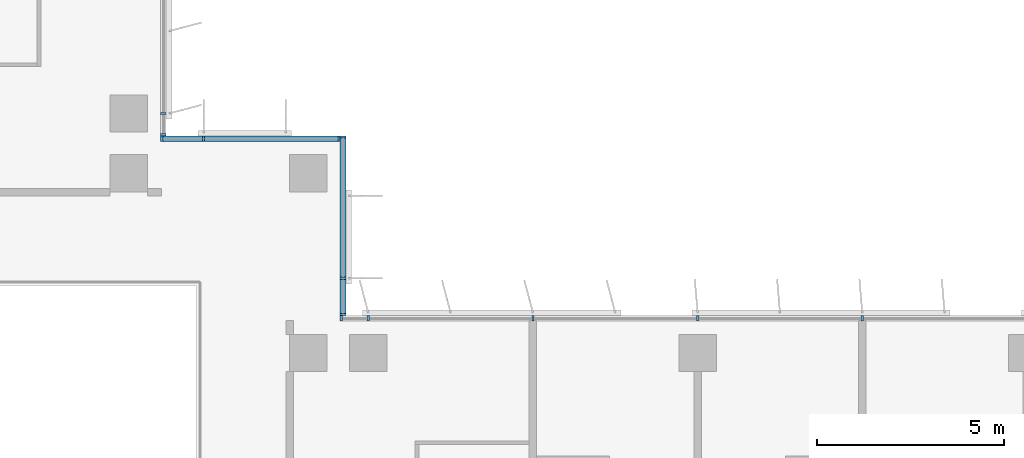
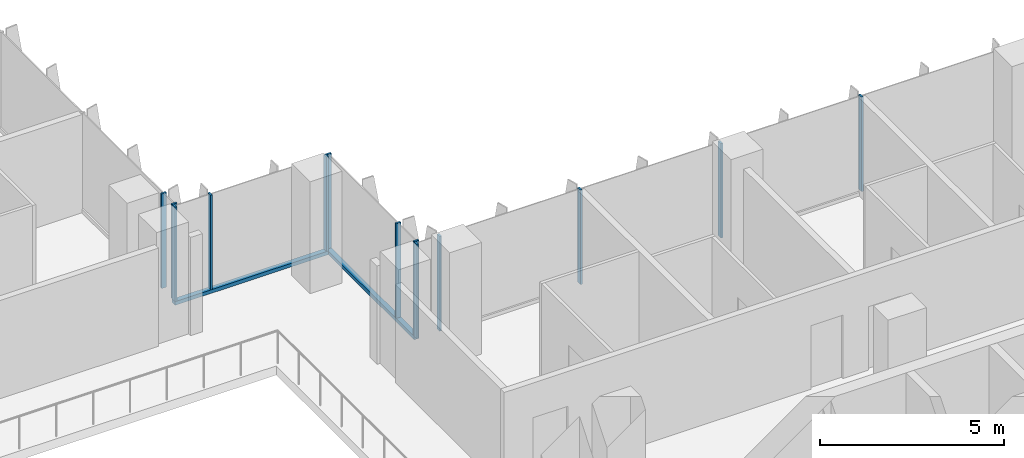
# One storey, part 2 of 21: 15 members, 4 elements without a shape of their own.
"""IFC4 building model written with IfcOpenShell, lengths in metres."""

import ifcopenshell
import ifcopenshell.guid

model = None  # the IFC model being written
_history = None  # IfcOwnerHistory: only IFC2X3 demands one
_inside = {}  # id of a spatial element -> (the spatial element, [elements in it])
_under = {}  # id of a project, library or spatial element -> (it, [spatial elements below it])
_declared = {}  # id of a project -> (the project, [libraries it declares])
_typed = {}  # id of a type object -> (the type object, [elements of that type])
_made_of = {}  # id of a material, layer set ... -> (it, [elements and type objects made of it])


def new_model(schema):
    """Start an empty IFC model of exactly this schema.

    Asked for "IFC4X3", IfcOpenShell would pick the latest addendum, in which some entities
    have other attributes; the version numbers below select the first issue.
    IFC2X3 requires an IfcOwnerHistory on every rooted entity: one is made here for all.
    """
    global model, _history
    if schema == "IFC4X3":
        model = ifcopenshell.file(schema_version=(4, 3, 0, 0))
    else:
        model = ifcopenshell.file(schema=schema)
    _inside.clear()
    _under.clear()
    _declared.clear()
    _typed.clear()
    _made_of.clear()
    _history = None
    if model.schema == "IFC2X3":
        org = make("IfcOrganization", Name="unknown")
        user = make(
            "IfcPersonAndOrganization",
            ThePerson=make("IfcPerson", FamilyName="unknown"),
            TheOrganization=org,
        )
        app = make(
            "IfcApplication",
            ApplicationDeveloper=org,
            Version="unknown",
            ApplicationFullName="unknown",
            ApplicationIdentifier="unknown",
        )
        _history = make(
            "IfcOwnerHistory",
            OwningUser=user,
            OwningApplication=app,
            ChangeAction="ADDED",
            CreationDate=0,
        )
    return model


def make(cls, **values):
    """One entity of the class cls with the attributes given. An attribute that is None is left unset."""
    return model.create_entity(
        cls, **{name: value for name, value in values.items() if value is not None}
    )


def rooted(cls, **values):
    """An entity with a GlobalId (a new one), such as an element, a storey or a relation."""
    return make(cls, GlobalId=ifcopenshell.guid.new(), OwnerHistory=_history, **values)


def si_unit(unit_type, name, prefix=None):
    """IfcSIUnit, for example si_unit("LENGTHUNIT", "METRE", prefix="MILLI")."""
    return make("IfcSIUnit", UnitType=unit_type, Prefix=prefix, Name=name)


def assignment(units):
    """IfcUnitAssignment: the units of a project."""
    return None if units is None else make("IfcUnitAssignment", Units=units)


def point(xyz):
    """IfcCartesianPoint."""
    return None if xyz is None else make("IfcCartesianPoint", Coordinates=xyz)


def direction(xyz):
    """IfcDirection."""
    return None if xyz is None else make("IfcDirection", DirectionRatios=xyz)


def frame(location, z_axis=None, x_axis=None):
    """IfcAxis2Placement3D, a coordinate frame: its origin and axes. An axis left out is left unset."""
    return make(
        "IfcAxis2Placement3D",
        Location=point(location),
        Axis=direction(z_axis),
        RefDirection=direction(x_axis),
    )


def frame_2d(location, x_axis=None):
    """IfcAxis2Placement2D, a coordinate frame in the plane: its origin and x axis."""
    return make(
        "IfcAxis2Placement2D", Location=point(location), RefDirection=direction(x_axis)
    )


def origin():
    """The frame at (0, 0, 0) with its axes left unset."""
    return frame((0.0, 0.0, 0.0))


def origin_2d():
    """The frame at (0, 0) in the plane with its x axis left unset."""
    return frame_2d((0.0, 0.0))


def place(relative_to, where):
    """IfcLocalPlacement: puts the frame where relative to a parent placement (None: the world)."""
    return make(
        "IfcLocalPlacement", PlacementRelTo=relative_to, RelativePlacement=where
    )


def context(
    kind, dimensions, precision=None, world=None, true_north=None, identifier=None
):
    """IfcGeometricRepresentationContext, for example the 3D "Model" context."""
    return make(
        "IfcGeometricRepresentationContext",
        ContextIdentifier=identifier,
        ContextType=kind,
        CoordinateSpaceDimension=dimensions,
        Precision=precision,
        WorldCoordinateSystem=world,
        TrueNorth=true_north,
    )


def subcontext(parent, identifier, kind, view, scale=None):
    """IfcGeometricRepresentationSubContext, for example "Body" below "Model"."""
    return make(
        "IfcGeometricRepresentationSubContext",
        ContextIdentifier=identifier,
        ContextType=kind,
        ParentContext=parent,
        TargetScale=scale,
        TargetView=view,
    )


def project(units=None, contexts=None):
    """IfcProject with its units and contexts."""
    return rooted(
        "IfcProject",
        Name="project",
        RepresentationContexts=contexts,
        UnitsInContext=assignment(units),
    )


def spatial(cls, under=None, at=None, **own):
    """A site, building, storey or space (cls), placed at a placement, below another one or the project."""
    s = rooted(cls, ObjectPlacement=at, **own)
    if under is not None:
        _under.setdefault(under.id(), (under, []))[1].append(s)
    return s


def profile(cls, at=None, kind="AREA", **sizes):
    """A parametric profile (cls). Its sizes go by their IFC names, for example OverallWidth=200.0."""
    return make(cls, ProfileType=kind, Position=at, **sizes)


def rectangle(**sizes):
    """IfcRectangleProfileDef."""
    return profile("IfcRectangleProfileDef", **sizes)


def extrude(swept, where, along, depth):
    """IfcExtrudedAreaSolid: the profile swept, set in the frame where, extruded along a direction by depth."""
    return make(
        "IfcExtrudedAreaSolid",
        SweptArea=swept,
        Position=where,
        ExtrudedDirection=direction(along),
        Depth=depth,
    )


def shape(context_of_items, identifier, shape_type, items):
    """IfcShapeRepresentation: the items that make up one representation, for example the "Body"."""
    return make(
        "IfcShapeRepresentation",
        ContextOfItems=context_of_items,
        RepresentationIdentifier=identifier,
        RepresentationType=shape_type,
        Items=items,
    )


def source(mapping_origin, context_of_items, identifier, shape_type, items):
    """IfcRepresentationMap: a shape defined once, which mapped items show again and again."""
    return make(
        "IfcRepresentationMap",
        MappingOrigin=mapping_origin,
        MappedRepresentation=shape(context_of_items, identifier, shape_type, items),
    )


def transform(
    local_origin,
    x_axis=None,
    y_axis=None,
    z_axis=None,
    scale=None,
    scale2=None,
    scale3=None,
    uniform=True,
):
    """IfcCartesianTransformationOperator3D, or its non-uniform kind. x_axis, y_axis, z_axis: its Axis1, 2, 3."""
    if uniform:
        return make(
            "IfcCartesianTransformationOperator3D",
            Axis1=direction(x_axis),
            Axis2=direction(y_axis),
            LocalOrigin=point(local_origin),
            Scale=scale,
            Axis3=direction(z_axis),
        )
    return make(
        "IfcCartesianTransformationOperator3DnonUniform",
        Axis1=direction(x_axis),
        Axis2=direction(y_axis),
        LocalOrigin=point(local_origin),
        Scale=scale,
        Axis3=direction(z_axis),
        Scale2=scale2,
        Scale3=scale3,
    )


def mapped(mapping_source, mapping_target):
    """IfcMappedItem: shows the shape of a source again, moved by a transform."""
    return make(
        "IfcMappedItem", MappingSource=mapping_source, MappingTarget=mapping_target
    )


def material(Name=None, Category=None):
    """IfcMaterial."""
    return make("IfcMaterial", Name=Name, Category=Category)


def material_profile(
    of_material, cross_section, Name=None, Category=None, Priority=None
):
    """IfcMaterialProfile: a cross section and its material."""
    return make(
        "IfcMaterialProfile",
        Name=Name,
        Material=of_material,
        Profile=cross_section,
        Priority=Priority,
        Category=Category,
    )


def profile_set(profiles, Name=None, composite=None):
    """IfcMaterialProfileSet."""
    return make(
        "IfcMaterialProfileSet",
        Name=Name,
        MaterialProfiles=profiles,
        CompositeProfile=composite,
    )


def made_of(thing, what):
    """Note that an element or type object is made of a material, layer set ...; save() writes the relation."""
    if what is not None:
        _made_of.setdefault(what.id(), (what, []))[1].append(thing)
    return thing


def type_object(cls, material=None, **own):
    """A type object (cls), such as IfcWallType, which elements share."""
    return made_of(rooted(cls, **own), material)


def element(
    cls,
    number,
    at=None,
    inside=None,
    cuts=None,
    type_object=None,
    material=None,
    context=None,
    identifier="Body",
    shape_type=None,
    held_by="IfcProductDefinitionShape",
    body=None,
    shapes=None,
    **own,
):
    """One element of the class cls, such as IfcWall. Its Tag is "e" and its number.

    at: its placement. inside: the storey or other place that contains it. cuts: it is an
    opening in that element (IfcRelVoidsElement). A single representation is given by context,
    identifier, shape_type and body (its items); several are given by shapes. held_by: the class
    of the entity that holds the representations. save() writes the other relations.
    """
    e = rooted(cls, Tag="e%d" % number, ObjectPlacement=at, **own)
    if body is not None:
        shapes = [shape(context, identifier, shape_type, body)]
    if shapes is not None:
        e.Representation = make(held_by, Representations=shapes)
    if inside is not None:
        _inside.setdefault(inside.id(), (inside, []))[1].append(e)
    if cuts is not None:
        rooted(
            "IfcRelVoidsElement", RelatingBuildingElement=cuts, RelatedOpeningElement=e
        )
    if type_object is not None:
        _typed.setdefault(type_object.id(), (type_object, []))[1].append(e)
    return made_of(e, material)


def aggregate(whole, parts):
    """IfcRelAggregates: a whole, such as a stair, and the parts it consists of."""
    return rooted("IfcRelAggregates", RelatingObject=whole, RelatedObjects=parts)


def save(model, path):
    """Write the relations noted so far, then the file.

    IfcRelAggregates (storeys below a building ...), IfcRelContainedInSpatialStructure (elements
    in a storey), IfcRelDefinesByType, IfcRelAssociatesMaterial and IfcRelDeclares: one each for
    every whole, place, type object, material and project.
    """
    for whole, parts in _under.values():
        aggregate(whole, parts)
    for where, things in _inside.values():
        rooted(
            "IfcRelContainedInSpatialStructure",
            RelatedElements=things,
            RelatingStructure=where,
        )
    for kind, things in _typed.values():
        rooted("IfcRelDefinesByType", RelatedObjects=things, RelatingType=kind)
    for what, things in _made_of.values():
        rooted("IfcRelAssociatesMaterial", RelatedObjects=things, RelatingMaterial=what)
    for by, libraries in _declared.values():
        rooted("IfcRelDeclares", RelatingContext=by, RelatedDefinitions=libraries)
    model.write(path)


model = new_model("IFC4")

# Units and contexts
model_context = context("Model", 3, precision=1e-05, world=origin(), true_north=direction((0.0, 1.0)))
body_context = subcontext(model_context, "Body", "Model", "MODEL_VIEW")
ifc_project = project(units=[si_unit("LENGTHUNIT", "METRE"), si_unit("AREAUNIT", "SQUARE_METRE"), si_unit("VOLUMEUNIT", "CUBIC_METRE"), si_unit("PLANEANGLEUNIT", "RADIAN"), si_unit("MASSUNIT", "GRAM", prefix="KILO")], contexts=[model_context])

# Site, building, storey
site_placement = place(None, origin())
site = spatial("IfcSite", under=ifc_project, at=site_placement, CompositionType="ELEMENT")
building_placement = place(site_placement, origin())
building = spatial("IfcBuilding", under=site, at=building_placement, Name="Kemantara Hotel Tower", CompositionType="ELEMENT")
storey_placement = place(building_placement, frame((0.0, 0.0, 198.800048828125)))
storey = spatial("IfcBuildingStorey", under=building, at=storey_placement, Name="L49", CompositionType="ELEMENT", Elevation=198.800048828125)

# Curtain wall, member
ifc_material_1 = material(Name="Low-E tinted double insulated glass 36 mm", Category="glass")
curtain_wall_type = type_object("IfcCurtainWallType", Name="TOWER CURTAIN WALL, FRONT FACES", PredefinedType="USERDEFINED", material=ifc_material_1)
curtain_wall_1_placement = place(storey_placement, origin())
curtain_wall_1 = element("IfcCurtainWall", 1, at=curtain_wall_1_placement, inside=storey, type_object=curtain_wall_type, Name="CW4 L49 T3-R15-1", ObjectType="TOWER CURTAIN WALL, FRONT FACES", PredefinedType="USERDEFINED")
ifc_material_2 = material(Name="Aluminium 6063-T6 bronze anodised", Category="aluminium")
ifc_material_profile_1 = material_profile(ifc_material_2, rectangle(XDim=0.14990234375, YDim=0.1201171875, at=origin_2d()), Name="TOWER CURTAIN WALL, FRONT FACES TRANSOM")
ifc_profile_set_1 = profile_set([ifc_material_profile_1], Name="Aluminium 6063-T6 bronze anodised")
member_type_1 = type_object("IfcMemberType", Name="TOWER CURTAIN WALL, FRONT FACES TRANSOM", PredefinedType="USERDEFINED", material=ifc_profile_set_1)
member_1_placement = place(storey_placement, frame((26.72509765625, 22.0, 0.06005859375), z_axis=(0.0, 1.0, 0.0), x_axis=(-1.0, 0.0, 0.0)))
member_1 = element("IfcMember", 2, at=member_1_placement, type_object=member_type_1, Name="CW4 sill transom T3-R15-1", ObjectType="TRANSOM", PredefinedType="USERDEFINED", context=body_context, shape_type="SweptSolid", body=[
    extrude(rectangle(XDim=0.14990234375, YDim=0.1201171875, at=origin_2d()), origin(), (0.0, 0.0, 1.0), 4.800048828125),
])

curtain_wall_2_placement = place(storey_placement, origin())
curtain_wall_2 = element("IfcCurtainWall", 3, at=curtain_wall_2_placement, inside=storey, type_object=curtain_wall_type, Name="CW4 L49 T3-R16-1", ObjectType="TOWER CURTAIN WALL, FRONT FACES", PredefinedType="USERDEFINED")
member_2_placement = place(storey_placement, frame((26.64990234375, 26.72509765625, 0.06005859375), z_axis=(-1.0, 0.0, 0.0), x_axis=(0.0, -1.0, 0.0)))
member_2 = element("IfcMember", 4, at=member_2_placement, type_object=member_type_1, Name="CW4 sill transom T3-R16-1", ObjectType="TRANSOM", PredefinedType="USERDEFINED", context=body_context, shape_type="SweptSolid", body=[
    extrude(rectangle(XDim=0.14990234375, YDim=0.1201171875, at=origin_2d()), origin(), (0.0, 0.0, 1.0), 4.7998046875),
])

# Curtain wall, members
curtain_wall_3_placement = place(storey_placement, origin())
curtain_wall_3 = element("IfcCurtainWall", 5, at=curtain_wall_3_placement, inside=storey, type_object=curtain_wall_type, Name="CW4 L49 T3-R14-1", ObjectType="TOWER CURTAIN WALL, FRONT FACES", PredefinedType="USERDEFINED")
ifc_material_profile_2 = material_profile(ifc_material_2, rectangle(XDim=0.14990234375, YDim=0.06005859375, at=origin_2d()), Name="TOWER CURTAIN WALL, FRONT FACES MULLION")
ifc_profile_set_2 = profile_set([ifc_material_profile_2], Name="Aluminium 6063-T6 bronze anodised")
member_type_2 = type_object("IfcMemberType", Name="TOWER CURTAIN WALL, FRONT FACES MULLION", PredefinedType="MULLION", material=ifc_profile_set_2)
shared_shape = source(origin(), body_context, "Body", "SweptSolid", [
    extrude(rectangle(XDim=0.14990234375, YDim=0.06005859375, at=origin_2d()), origin(), (0.0, 0.0, 1.0), 3.130126953125),
])
member_3_placement = place(storey_placement, frame((40.60009765625, 21.925048828125, 0.119873046875), z_axis=(0.0, 0.0, 1.0), x_axis=(0.0, -1.0, 0.0)))
member_3 = element("IfcMember", 6, at=member_3_placement, type_object=member_type_2, Name="CW4 mullion T3-R14-1.6", PredefinedType="MULLION", context=body_context, shape_type="MappedRepresentation", body=[
    mapped(shared_shape, transform((0.0, 0.0, 0.0))),
])
member_4_placement = place(storey_placement, frame((36.199951171875, 21.925048828125, 0.119873046875), z_axis=(0.0, 0.0, 1.0), x_axis=(0.0, -1.0, 0.0)))
member_4 = element("IfcMember", 7, at=member_4_placement, type_object=member_type_2, Name="CW4 mullion T3-R14-1.7", PredefinedType="MULLION", context=body_context, shape_type="MappedRepresentation", body=[
    mapped(shared_shape, transform((0.0, 0.0, 0.0))),
])
member_5_placement = place(storey_placement, frame((31.800048828125, 21.925048828125, 0.119873046875), z_axis=(0.0, 0.0, 1.0), x_axis=(0.0, -1.0, 0.0)))
member_5 = element("IfcMember", 8, at=member_5_placement, type_object=member_type_2, Name="CW4 mullion T3-R14-1.8", PredefinedType="MULLION", context=body_context, shape_type="MappedRepresentation", body=[
    mapped(shared_shape, transform((0.0, 0.0, 0.0))),
])
member_6_placement = place(storey_placement, frame((27.39990234375, 21.925048828125, 0.119873046875), z_axis=(0.0, 0.0, 1.0), x_axis=(0.0, -1.0, 0.0)))
member_6 = element("IfcMember", 9, at=member_6_placement, type_object=member_type_2, Name="CW4 mullion T3-R14-1.9", PredefinedType="MULLION", context=body_context, shape_type="MappedRepresentation", body=[
    mapped(shared_shape, transform((0.0, 0.0, 0.0))),
])
member_7_placement = place(storey_placement, frame((26.679931640625, 21.925048828125, 0.119873046875), z_axis=(0.0, 0.0, 1.0), x_axis=(0.0, -1.0, 0.0)))
member_7 = element("IfcMember", 10, at=member_7_placement, type_object=member_type_2, Name="CW4 mullion T3-R14-1.10", PredefinedType="MULLION", context=body_context, shape_type="MappedRepresentation", body=[
    mapped(shared_shape, transform((0.0, 0.0, 0.0))),
])
aggregate(curtain_wall_3, [member_3, member_4, member_5, member_6, member_7])

# Member
member_8_placement = place(storey_placement, frame((26.72509765625, 22.030029296875, 0.119873046875), z_axis=(0.0, 0.0, 1.0), x_axis=(-1.0, 0.0, 0.0)))
member_8 = element("IfcMember", 11, at=member_8_placement, type_object=member_type_2, Name="CW4 mullion T3-R15-1.1", PredefinedType="MULLION", context=body_context, shape_type="MappedRepresentation", body=[
    mapped(shared_shape, transform((0.0, 0.0, 0.0))),
])

member_9_placement = place(storey_placement, frame((26.72509765625, 23.0, 0.119873046875), z_axis=(0.0, 0.0, 1.0), x_axis=(-1.0, 0.0, 0.0)))
member_9 = element("IfcMember", 12, at=member_9_placement, type_object=member_type_2, Name="CW4 mullion T3-R15-1.2", PredefinedType="MULLION", context=body_context, shape_type="MappedRepresentation", body=[
    mapped(shared_shape, transform((0.0, 0.0, 0.0))),
])

member_10_placement = place(storey_placement, frame((26.72509765625, 26.77001953125, 0.119873046875), z_axis=(0.0, 0.0, 1.0), x_axis=(-1.0, 0.0, 0.0)))
member_10 = element("IfcMember", 13, at=member_10_placement, type_object=member_type_2, Name="CW4 mullion T3-R15-1.3", PredefinedType="MULLION", context=body_context, shape_type="MappedRepresentation", body=[
    mapped(shared_shape, transform((0.0, 0.0, 0.0))),
])

aggregate(curtain_wall_1, [member_1, member_8, member_9, member_10])

member_11_placement = place(storey_placement, frame((26.6201171875, 26.72509765625, 0.119873046875), z_axis=(0.0, 0.0, 1.0), x_axis=(0.0, -1.0, 0.0)))
member_11 = element("IfcMember", 14, at=member_11_placement, type_object=member_type_2, Name="CW4 mullion T3-R16-1.1", PredefinedType="MULLION", context=body_context, shape_type="MappedRepresentation", body=[
    mapped(shared_shape, transform((0.0, 0.0, 0.0))),
])

member_12_placement = place(storey_placement, frame((23.0, 26.72509765625, 0.119873046875), z_axis=(0.0, 0.0, 1.0), x_axis=(0.0, -1.0, 0.0)))
member_12 = element("IfcMember", 15, at=member_12_placement, type_object=member_type_2, Name="CW4 mullion T3-R16-1.2", PredefinedType="MULLION", context=body_context, shape_type="MappedRepresentation", body=[
    mapped(shared_shape, transform((0.0, 0.0, 0.0))),
])

member_13_placement = place(storey_placement, frame((21.8798828125, 26.72509765625, 0.119873046875), z_axis=(0.0, 0.0, 1.0), x_axis=(0.0, -1.0, 0.0)))
member_13 = element("IfcMember", 16, at=member_13_placement, type_object=member_type_2, Name="CW4 mullion T3-R16-1.3", PredefinedType="MULLION", context=body_context, shape_type="MappedRepresentation", body=[
    mapped(shared_shape, transform((0.0, 0.0, 0.0))),
])

aggregate(curtain_wall_2, [member_2, member_11, member_12, member_13])

# Curtain wall, members
curtain_wall_4_placement = place(storey_placement, origin())
curtain_wall_4 = element("IfcCurtainWall", 17, at=curtain_wall_4_placement, inside=storey, type_object=curtain_wall_type, Name="CW4 L49 T3-R17-1", ObjectType="TOWER CURTAIN WALL, FRONT FACES", PredefinedType="USERDEFINED")
member_14_placement = place(storey_placement, frame((21.925048828125, 26.830078125, 0.119873046875), z_axis=(0.0, 0.0, 1.0), x_axis=(-1.0, 0.0, 0.0)))
member_14 = element("IfcMember", 18, at=member_14_placement, type_object=member_type_2, Name="CW4 mullion T3-R17-1.1", PredefinedType="MULLION", context=body_context, shape_type="MappedRepresentation", body=[
    mapped(shared_shape, transform((0.0, 0.0, 0.0))),
])
member_15_placement = place(storey_placement, frame((21.925048828125, 27.39990234375, 0.119873046875), z_axis=(0.0, 0.0, 1.0), x_axis=(-1.0, 0.0, 0.0)))
member_15 = element("IfcMember", 19, at=member_15_placement, type_object=member_type_2, Name="CW4 mullion T3-R17-1.2", PredefinedType="MULLION", context=body_context, shape_type="MappedRepresentation", body=[
    mapped(shared_shape, transform((0.0, 0.0, 0.0))),
])
aggregate(curtain_wall_4, [member_14, member_15])

save(model, "model.ifc")
